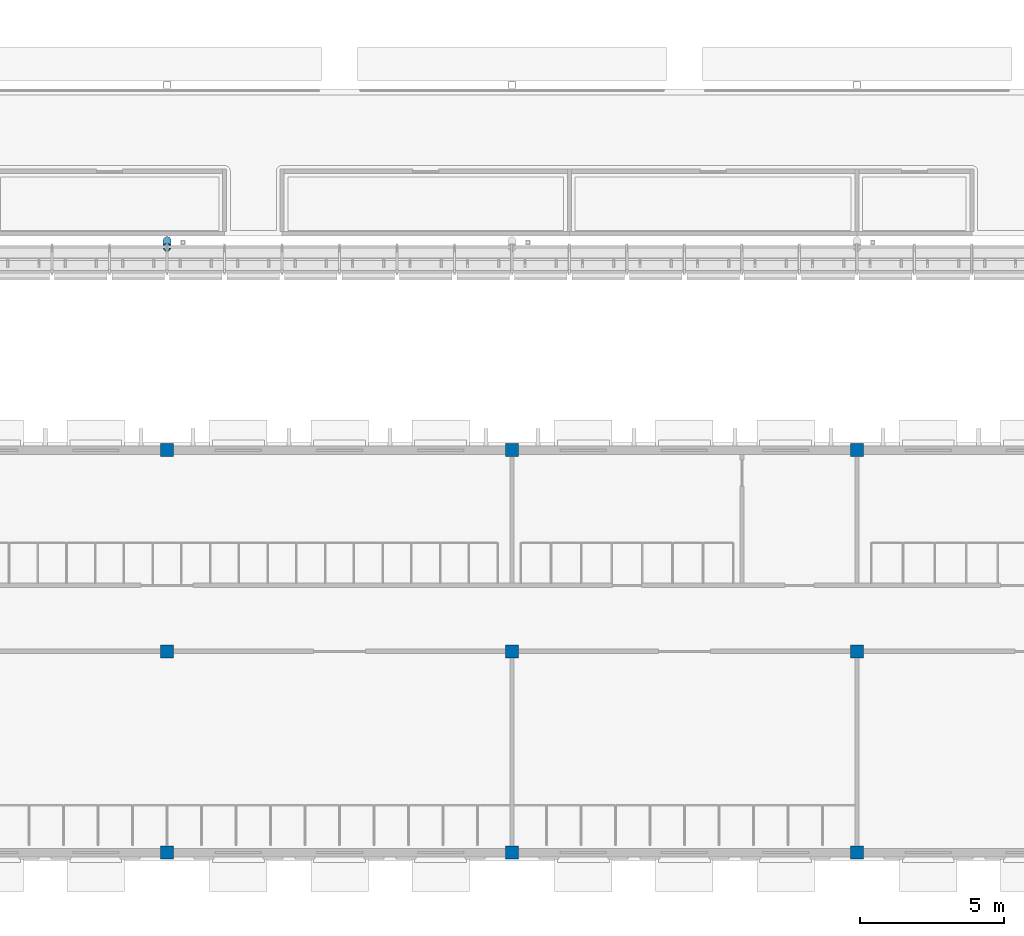
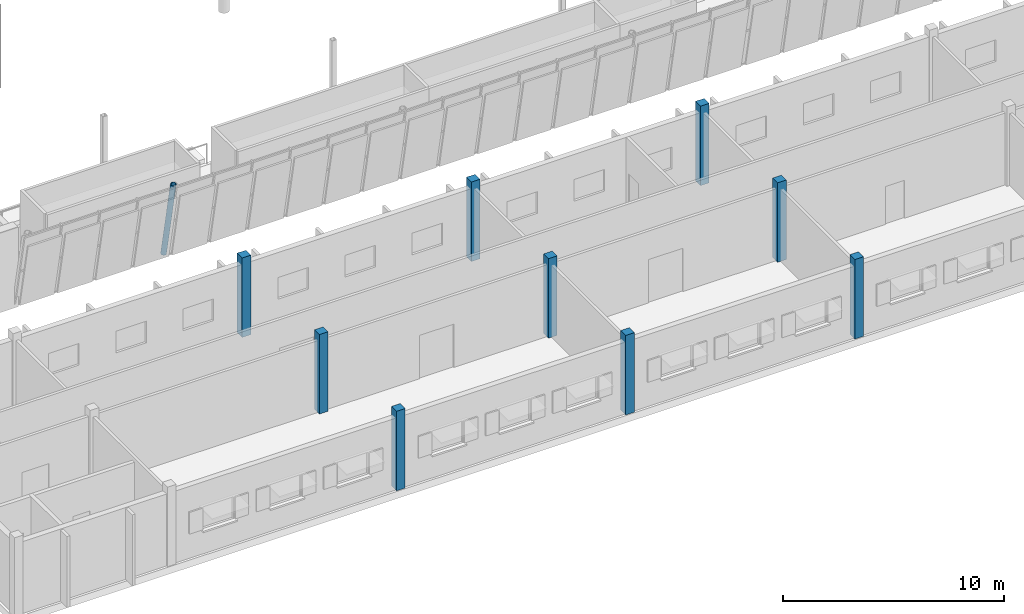
# One storey, part 4 of 115: 10 columns.
"""IFC4 building model written with IfcOpenShell, lengths in metres."""

from ifc_helpers import new_model, si_unit, direction, frame, origin, origin_2d, place, context, subcontext, project, spatial, rectangle, hollow_circle, extrude, material, material_profile, profile_set, type_object, element, save


model = new_model("IFC4")

# Units and contexts
model_context = context("Model", 3, precision=1e-05, world=origin(), true_north=direction((0.0, 1.0)))
body_context = subcontext(model_context, "Body", "Model", "MODEL_VIEW")
ifc_project = project(units=[si_unit("LENGTHUNIT", "METRE"), si_unit("AREAUNIT", "SQUARE_METRE"), si_unit("VOLUMEUNIT", "CUBIC_METRE"), si_unit("PLANEANGLEUNIT", "RADIAN"), si_unit("MASSUNIT", "GRAM", prefix="KILO")], contexts=[model_context])

# Site, building, storey
site_placement = place(None, origin())
site = spatial("IfcSite", under=ifc_project, at=site_placement, CompositionType="ELEMENT")
building_placement = place(site_placement, origin())
building = spatial("IfcBuilding", under=site, at=building_placement, Name="Windward Yard Aquatics Centre", CompositionType="ELEMENT")
storey_placement = place(building_placement, frame((0.0, 0.0, 5.0)))
storey = spatial("IfcBuildingStorey", under=building, at=storey_placement, Name="L01", CompositionType="ELEMENT", Elevation=5.0)

# Columns
ifc_material_1 = material(Name="Concrete C35/45", Category="concrete")
ifc_material_profile_1 = material_profile(ifc_material_1, rectangle(XDim=0.449951171875, YDim=0.449951171875, at=origin_2d()), Name="RC 450X450")
ifc_profile_set_1 = profile_set([ifc_material_profile_1], Name="Concrete C35/45")
column_type_1 = type_object("IfcColumnType", Name="C column RC 450X450", PredefinedType="COLUMN", material=ifc_profile_set_1)
for number, where, z_axis, x_axis, name in (
    (1, (72.0, 5.0, 0.0), (0.0, 0.0, 1.0), (1.0, 0.0, 0.0), "C.COL.L01.3.1"),
    (2, (72.0, 12.0, 0.0), (0.0, 0.0, 1.0), (1.0, 0.0, 0.0), "C.COL.L01.3.2"),
    (3, (72.0, 19.0, 0.0), (0.0, 0.0, 1.0), (1.0, 0.0, 0.0), "C.COL.L01.3.3"),
    (4, (84.0, 5.0, 0.0), (0.0, 0.0, 1.0), (1.0, 0.0, 0.0), "C.COL.L01.4.1"),
    (5, (84.0, 12.0, 0.0), (0.0, 0.0, 1.0), (1.0, 0.0, 0.0), "C.COL.L01.4.2"),
    (6, (84.0, 19.0, 0.0), (0.0, 0.0, 1.0), (1.0, 0.0, 0.0), "C.COL.L01.4.3"),
    (7, (96.0, 5.0, 0.0), (0.0, 0.0, 1.0), (1.0, 0.0, 0.0), "C.COL.L01.5.1"),
    (8, (96.0, 12.0, 0.0), (0.0, 0.0, 1.0), (1.0, 0.0, 0.0), "C.COL.L01.5.2"),
    (9, (96.0, 19.0, 0.0), (0.0, 0.0, 1.0), (1.0, 0.0, 0.0), "C.COL.L01.5.3"),
):
    element("IfcColumn", number, at=place(storey_placement, frame(where, z_axis=z_axis, x_axis=x_axis)), inside=storey, type_object=column_type_1, Name=name, PredefinedType="COLUMN", context=body_context, shape_type="SweptSolid", body=[
        extrude(rectangle(XDim=0.449951171875, YDim=0.449951171875, at=origin_2d()), origin(), (0.0, 0.0, 1.0), 4.39990234375),
    ])
ifc_material_2 = material(Name="Steel ASTM A500 Gr C", Category="steel")
ifc_material_profile_2 = material_profile(ifc_material_2, hollow_circle(Radius=0.136474609375, WallThickness=0.0126953125, at=origin_2d()), Name="HSS273.1X12.7")
ifc_profile_set_2 = profile_set([ifc_material_profile_2], Name="Steel ASTM A500 Gr C")
column_type_2 = type_object("IfcColumnType", Name="H tier 1 leg HSS273.1X12.7", PredefinedType="COLUMN", material=ifc_profile_set_2)
column_placement = place(storey_placement, frame((72.0, 26.29443359375, 0.02734375), z_axis=(0.0, -0.19937683017, 0.979922894717), x_axis=(1.0, 0.0, 0.0)))
element("IfcColumn", 10, at=column_placement, inside=storey, type_object=column_type_2, Name="H.TL.S2.T1A.L01", PredefinedType="COLUMN", context=body_context, shape_type="SweptSolid", body=[
    extrude(hollow_circle(Radius=0.136474609375, WallThickness=0.0126953125, at=origin_2d()), origin(), (0.0, 0.0, 1.0), 4.462158203125),
])

save(model, "model.ifc")
